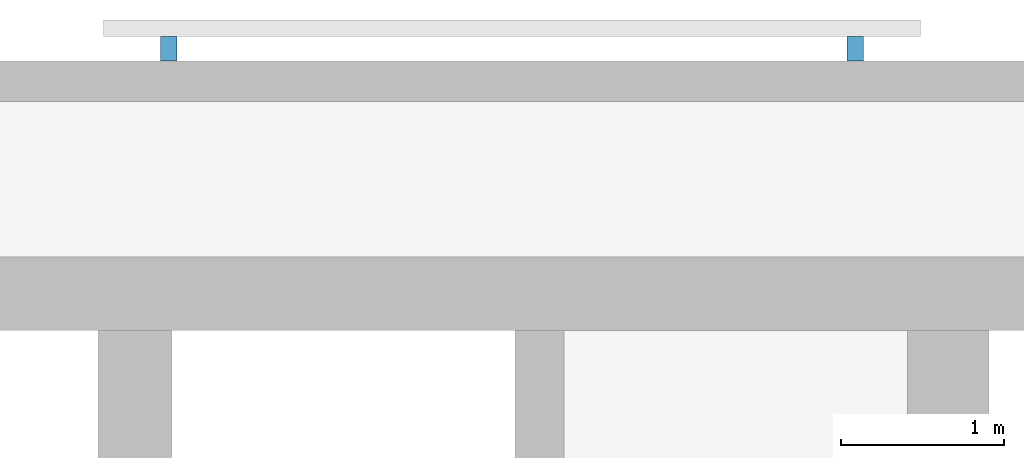
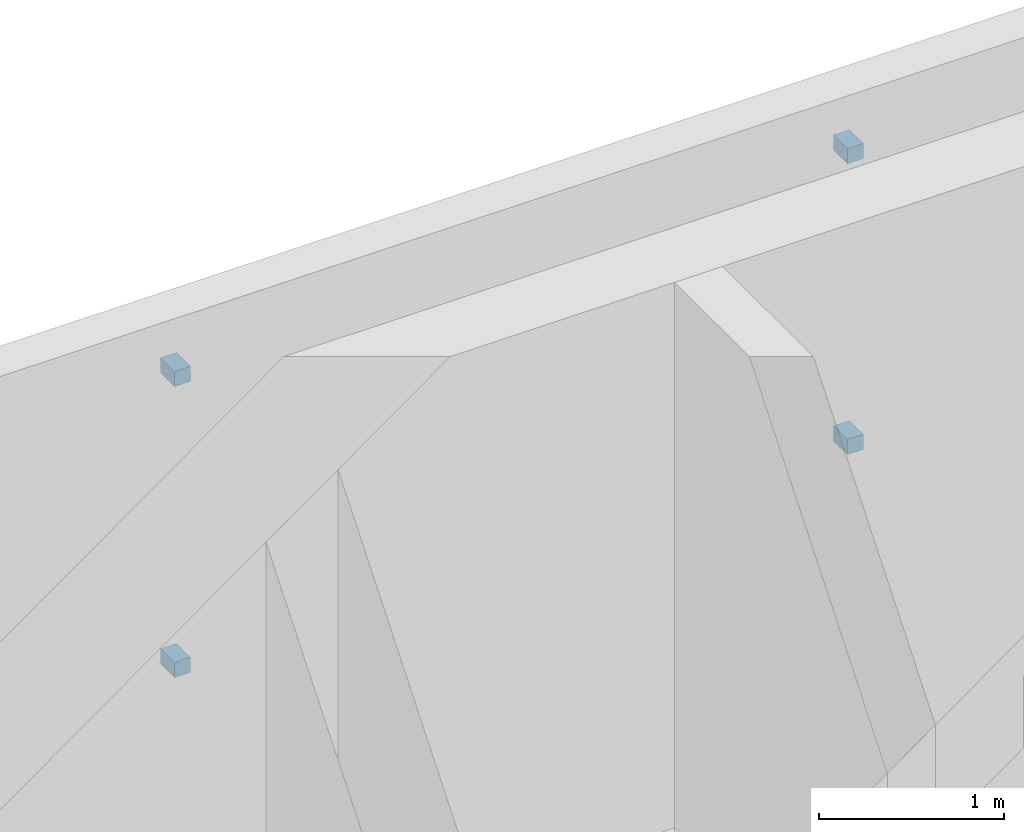
# One storey, part 12 of 15: 4 discrete accessories.
"""IFC4 building model written with IfcOpenShell, lengths in metres."""

from ifc_helpers import new_model, si_unit, direction, frame, origin, origin_2d, place, context, subcontext, project, spatial, rectangle, extrude, material, type_object, element, save


model = new_model("IFC4")

# Units and contexts
model_context = context("Model", 3, precision=1e-05, world=origin(), true_north=direction((0.0, 1.0)))
body_context = subcontext(model_context, "Body", "Model", "MODEL_VIEW")
ifc_project = project(units=[si_unit("LENGTHUNIT", "METRE"), si_unit("AREAUNIT", "SQUARE_METRE"), si_unit("VOLUMEUNIT", "CUBIC_METRE"), si_unit("PLANEANGLEUNIT", "RADIAN"), si_unit("MASSUNIT", "GRAM", prefix="KILO")], contexts=[model_context])

# Site, building, storey
site_placement = place(None, origin())
site = spatial("IfcSite", under=ifc_project, at=site_placement, CompositionType="ELEMENT")
building_placement = place(site_placement, origin())
building = spatial("IfcBuilding", under=site, at=building_placement, Name="Torana Hotel and Residences", CompositionType="ELEMENT")
storey_placement = place(building_placement, frame((0.0, 0.0, 42.0)))
storey = spatial("IfcBuildingStorey", under=building, at=storey_placement, Name="L09", CompositionType="ELEMENT", Elevation=42.0)

# Discrete accessories
ifc_material = material(Name="Steel S355", Category="steel")
discrete_accessory_type = type_object("IfcDiscreteAccessoryType", Name="SCREEN BRACKET 100", PredefinedType="BRACKET", material=ifc_material)
for number, where, z_axis, x_axis, name in (
    (1, (23.681396484375, 1.27490234375, 0.75), (0.0, 0.0, 1.0), (-1.0, 0.0, 0.0), "Screen bracket L09"),
    (2, (23.681396484375, 1.27490234375, 2.669921875), (0.0, 0.0, 1.0), (-1.0, 0.0, 0.0), "Screen bracket L09"),
    (3, (19.4814453125, 1.27490234375, 0.75), (0.0, 0.0, 1.0), (-1.0, 0.0, 0.0), "Screen bracket L09"),
    (4, (19.4814453125, 1.27490234375, 2.669921875), (0.0, 0.0, 1.0), (-1.0, 0.0, 0.0), "Screen bracket L09"),
):
    element("IfcDiscreteAccessory", number, at=place(storey_placement, frame(where, z_axis=z_axis, x_axis=x_axis)), inside=storey, type_object=discrete_accessory_type, Name=name, PredefinedType="BRACKET", context=body_context, shape_type="SweptSolid", body=[
        extrude(rectangle(XDim=0.10009765625, YDim=0.14990234375, at=origin_2d()), origin(), (0.0, 0.0, 1.0), 0.10009765625),
    ])

save(model, "model.ifc")
